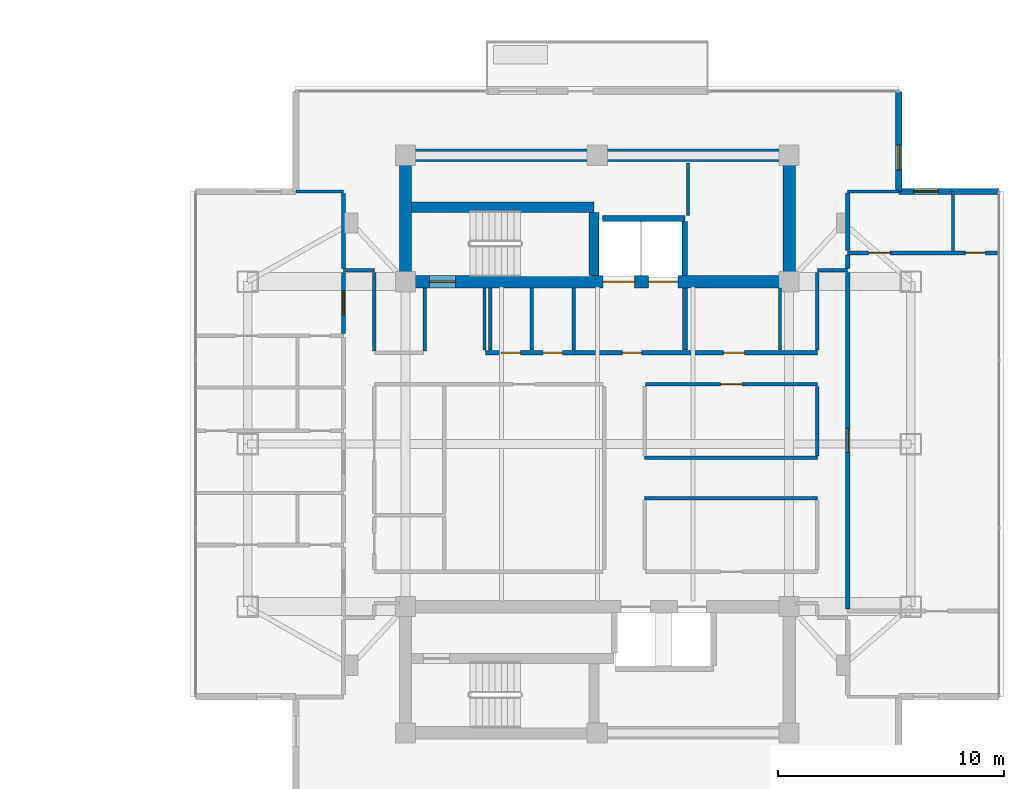
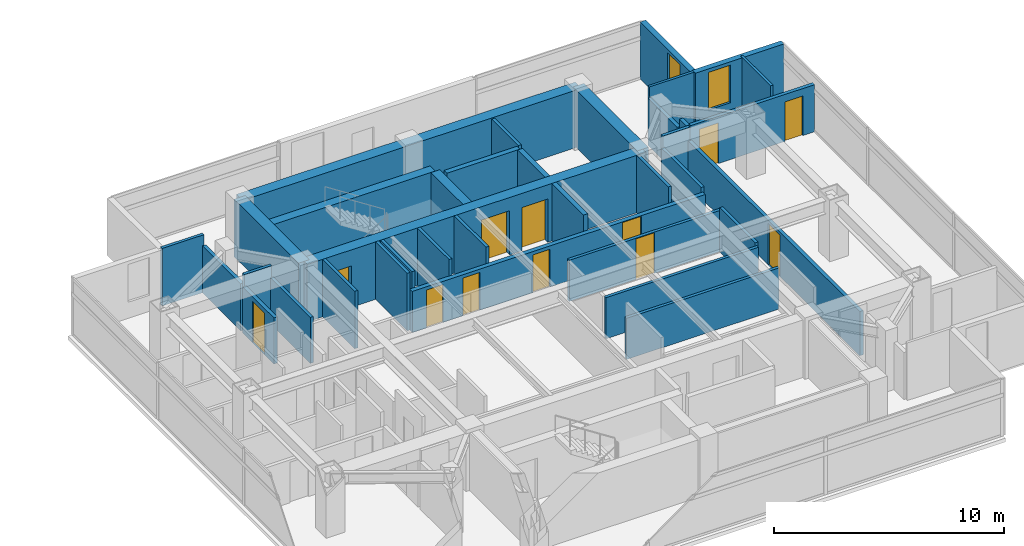
# One storey, part 18 of 26: 36 walls, 12 doors, 2 windows, 14 openings.
"""IFC4 building model written with IfcOpenShell, lengths in metres."""

from ifc_helpers import new_model, si_unit, direction, frame, frame_2d, origin, place, context, subcontext, project, spatial, rectangle, extrude, material, layer, layer_set, type_object, element, fill, save


model = new_model("IFC4")

# Units and contexts
model_context = context("Model", 3, precision=1e-05, world=origin(), true_north=direction((0.0, 1.0)))
body_context = subcontext(model_context, "Body", "Model", "MODEL_VIEW")
ifc_project = project(units=[si_unit("LENGTHUNIT", "METRE"), si_unit("AREAUNIT", "SQUARE_METRE"), si_unit("VOLUMEUNIT", "CUBIC_METRE"), si_unit("PLANEANGLEUNIT", "RADIAN"), si_unit("MASSUNIT", "GRAM", prefix="KILO")], contexts=[model_context])

# Site, building, storey
site_placement = place(None, origin())
site = spatial("IfcSite", under=ifc_project, at=site_placement, CompositionType="ELEMENT")
building_placement = place(site_placement, origin())
building = spatial("IfcBuilding", under=site, at=building_placement, Name="Mirazonda Arch Towers", CompositionType="ELEMENT")
storey_placement = place(building_placement, frame((0.0, 0.0, 203.14990234375)))
storey = spatial("IfcBuildingStorey", under=building, at=storey_placement, Name="L58", CompositionType="ELEMENT", Elevation=203.14990234375)

# Walls
ifc_material_1 = material(Name="Concrete C50/60", Category="concrete")
ifc_layer_1 = layer(ifc_material_1, 0.449951171875, Name="WALL-CORE-450")
ifc_layer_set_1 = layer_set([ifc_layer_1], Name="Concrete C50/60")
wall_type_1 = type_object("IfcWallType", Name="WALL-CORE-450", PredefinedType="SHEAR", material=ifc_layer_set_1)
wall_1_placement = place(storey_placement, frame((68.27001953125, 38.5, 0.0), z_axis=(0.0, 0.0, 1.0), x_axis=(1.0, 0.0, 0.0)))
element("IfcWall", 1, at=wall_1_placement, inside=storey, type_object=wall_type_1, Name="L58 Stair Core Shear Wall 050", PredefinedType="SHEAR", context=body_context, shape_type="SweptSolid", body=[
    extrude(rectangle(XDim=8.090087890625, YDim=0.449951171875, at=frame_2d((4.044921875, 0.0))), origin(), (0.0, 0.0, 1.0), 3.050048828125),
])
wall_2_placement = place(storey_placement, frame((76.360107421875, 35.469970703125, 0.0), z_axis=(0.0, 0.0, 1.0), x_axis=(0.0, 1.0, 0.0)))
element("IfcWall", 2, at=wall_2_placement, inside=storey, type_object=wall_type_1, Name="L58 Stair Core Shear Wall 137", PredefinedType="SHEAR", context=body_context, shape_type="SweptSolid", body=[
    extrude(rectangle(XDim=2.794921875, YDim=0.449951171875, at=frame_2d((1.3974609375, 0.0))), origin(), (0.0, 0.0, 1.0), 3.050048828125),
])
ifc_layer_2 = layer(ifc_material_1, 0.550048828125, Name="WALL-CORE-550")
ifc_layer_set_2 = layer_set([ifc_layer_2], Name="Concrete C50/60")
wall_type_2 = type_object("IfcWallType", Name="WALL-CORE-550", PredefinedType="SHEAR", material=ifc_layer_set_2)
wall_3_placement = place(storey_placement, frame((68.0, 40.800048828125, 0.0), z_axis=(0.0, 0.0, 1.0), x_axis=(1.0, 0.0, 0.0)))
element("IfcWall", 3, at=wall_3_placement, inside=storey, type_object=wall_type_2, Name="L58 T2N-N Core Shear Wall", PredefinedType="SHEAR", context=body_context, shape_type="SweptSolid", body=[
    extrude(rectangle(XDim=17.0, YDim=0.550048828125, at=frame_2d((8.5, 0.0))), origin(), (0.0, 0.0, 1.0), 3.050048828125),
])
for number, where, z_axis, x_axis, name in (
    (4, (68.0, 35.199951171875, 0.0), (0.0, 0.0, 1.0), (0.0, 1.0, 0.0), "L58 T2N-W Core Shear Wall"),
    (5, (85.0, 35.199951171875, 0.0), (0.0, 0.0, 1.0), (0.0, 1.0, 0.0), "L58 T2N-E Core Shear Wall"),
):
    element("IfcWall", number, at=place(storey_placement, frame(where, z_axis=z_axis, x_axis=x_axis)), inside=storey, type_object=wall_type_2, Name=name, PredefinedType="SHEAR", context=body_context, shape_type="SweptSolid", body=[
        extrude(rectangle(XDim=5.60009765625, YDim=0.550048828125, at=frame_2d((2.800048828125, 0.0))), origin(), (0.0, 0.0, 1.0), 3.050048828125),
    ])

# Wall, openings, doors
wall_4_placement = place(storey_placement, frame((68.0, 35.199951171875, 0.0), z_axis=(0.0, 0.0, 1.0), x_axis=(1.0, 0.0, 0.0)))
wall_4 = element("IfcWall", 6, at=wall_4_placement, inside=storey, type_object=wall_type_2, Name="L58 T2N-S Core Shear Wall", PredefinedType="SHEAR", context=body_context, shape_type="SweptSolid", body=[
    extrude(rectangle(XDim=17.0, YDim=0.550048828125, at=frame_2d((8.5, 0.0))), origin(), (0.0, 0.0, 1.0), 3.050048828125),
])
opening_1_placement = place(wall_4_placement, frame((1.06005859375, 0.0, 0.0)))
opening_1 = element("IfcOpeningElement", 7, at=opening_1_placement, cuts=wall_4, Name="Opening DR-135", PredefinedType="OPENING", context=body_context, shape_type="SweptSolid", body=[
    extrude(rectangle(XDim=1.14990234375, YDim=2.199951171875, at=frame_2d((0.574951171875, 1.10009765625))), frame((0.0, 0.284912109375, 0.0), z_axis=(0.0, -1.0, 0.0), x_axis=(1.0, 0.0, 0.0)), (0.0, 0.0, 1.0), 0.570068359375),
])
opening_2_placement = place(wall_4_placement, frame((8.75, 0.0, 0.0)))
opening_2 = element("IfcOpeningElement", 8, at=opening_2_placement, cuts=wall_4, Name="Opening LD-112", PredefinedType="OPENING", context=body_context, shape_type="SweptSolid", body=[
    extrude(rectangle(XDim=1.39990234375, YDim=2.35009765625, at=frame_2d((0.699951171875, 1.175048828125))), frame((0.0, 0.284912109375, 0.0), z_axis=(0.0, -1.0, 0.0), x_axis=(1.0, 0.0, 0.0)), (0.0, 0.0, 1.0), 0.570068359375),
])
opening_3_placement = place(wall_4_placement, frame((10.77001953125, 0.0, 0.0)))
opening_3 = element("IfcOpeningElement", 9, at=opening_3_placement, cuts=wall_4, Name="Opening LD-111", PredefinedType="OPENING", context=body_context, shape_type="SweptSolid", body=[
    extrude(rectangle(XDim=1.300048828125, YDim=2.300048828125, at=frame_2d((0.64990234375, 1.14990234375))), frame((0.0, 0.284912109375, 0.0), z_axis=(0.0, -1.0, 0.0), x_axis=(1.0, 0.0, 0.0)), (0.0, 0.0, 1.0), 0.570068359375),
])
ifc_material_2 = material(Name="Architectural Brushed Steel S355", Category="steel")
door_type_1 = type_object("IfcDoorType", Name="DOOR-LIFT-FFL-1400", OperationType="NOTDEFINED", PredefinedType="DOOR", material=ifc_material_2)
door_1_placement = place(opening_2_placement, origin())
door_1 = element("IfcDoor", 10, at=door_1_placement, inside=storey, type_object=door_type_1, Name="L58 Lift Landing Sliding Door FFL-T2", OperationType="DOUBLE_DOOR_SLIDING", OverallHeight=2.35009765625, OverallWidth=1.39990234375, PredefinedType="DOOR", context=body_context, shape_type="SweptSolid", body=[
    extrude(rectangle(XDim=1.39990234375, YDim=2.35009765625, at=frame_2d((0.699951171875, 1.175048828125))), frame((0.0, 0.02490234375, 0.0), z_axis=(0.0, -1.0, 0.0), x_axis=(1.0, 0.0, 0.0)), (0.0, 0.0, 1.0), 0.050048828125),
])
fill(opening_2, door_1)
door_type_2 = type_object("IfcDoorType", Name="DOOR-LIFT-LAND-1300", OperationType="NOTDEFINED", PredefinedType="DOOR", material=ifc_material_2)
door_2_placement = place(opening_3_placement, origin())
door_2 = element("IfcDoor", 11, at=door_2_placement, inside=storey, type_object=door_type_2, Name="L58 Lift Landing Sliding Door SVL-T2", OperationType="DOUBLE_DOOR_SLIDING", OverallHeight=2.300048828125, OverallWidth=1.300048828125, PredefinedType="DOOR", context=body_context, shape_type="SweptSolid", body=[
    extrude(rectangle(XDim=1.300048828125, YDim=2.300048828125, at=frame_2d((0.64990234375, 1.14990234375))), frame((0.0, 0.02490234375, 0.0), z_axis=(0.0, -1.0, 0.0), x_axis=(1.0, 0.0, 0.0)), (0.0, 0.0, 1.0), 0.050048828125),
])
fill(opening_3, door_2)
door_type_3 = type_object("IfcDoorType", Name="DOOR-STAIR-FD90-1150", OperationType="NOTDEFINED", PredefinedType="DOOR", material=ifc_material_2)
door_3_placement = place(opening_1_placement, origin())
door_3 = element("IfcDoor", 12, at=door_3_placement, inside=storey, type_object=door_type_3, Name="L58 East Protected Stair North Door", OperationType="SINGLE_SWING_RIGHT", OverallHeight=2.199951171875, OverallWidth=1.14990234375, PredefinedType="DOOR", context=body_context, shape_type="SweptSolid", body=[
    extrude(rectangle(XDim=1.14990234375, YDim=2.199951171875, at=frame_2d((0.574951171875, 1.10009765625))), frame((0.0, 0.02490234375, 0.0), z_axis=(0.0, -1.0, 0.0), x_axis=(1.0, 0.0, 0.0)), (0.0, 0.0, 1.0), 0.050048828125),
])
fill(opening_1, door_3)

# Wall, opening, window
ifc_material_3 = material(Name="Precast Concrete C40/50", Category="concrete")
ifc_layer_3 = layer(ifc_material_3, 0.280029296875, Name="WALL-EXT-WALL-280")
ifc_layer_set_3 = layer_set([ifc_layer_3], Name="Precast Concrete C40/50")
wall_type_3 = type_object("IfcWallType", Name="WALL-EXT-WALL-280", PredefinedType="SOLIDWALL", material=ifc_layer_set_3)
wall_5_placement = place(storey_placement, frame((89.86572265625, 39.198486328125, 0.0), z_axis=(0.0, 0.0, 1.0), x_axis=(0.0, 1.0, 0.0)))
wall_5 = element("IfcWall", 13, at=wall_5_placement, inside=storey, type_object=wall_type_3, Name="L58 T2 Notched NE Corner Wall WL-L58-T2-CNE", PredefinedType="SOLIDWALL", context=body_context, shape_type="SweptSolid", body=[
    extrude(rectangle(XDim=4.439697265625, YDim=0.280029296875, at=frame_2d((2.2197265625, 0.0))), origin(), (0.0, 0.0, 1.0), 3.030029296875),
])
opening_4_placement = place(wall_5_placement, frame((0.949951171875, 0.0, 0.85009765625)))
opening_4 = element("IfcOpeningElement", 14, at=opening_4_placement, cuts=wall_5, Name="Opening WN-108", PredefinedType="OPENING", context=body_context, shape_type="SweptSolid", body=[
    extrude(rectangle(XDim=1.10009765625, YDim=2.0, at=frame_2d((0.550048828125, 1.0))), frame((0.0, 0.14990234375, 0.0), z_axis=(0.0, -1.0, 0.0), x_axis=(1.0, 0.0, 0.0)), (0.0, 0.0, 1.0), 0.300048828125),
])
ifc_material_4 = material(Name="Insulated Low-E Solar Glass", Category="glass")
window_type = type_object("IfcWindowType", Name="WIN-NOTCH-1100x2000", PartitioningType="SINGLE_PANEL", PredefinedType="WINDOW", material=ifc_material_4)
window_1_placement = place(opening_4_placement, origin())
window_1 = element("IfcWindow", 15, at=window_1_placement, inside=storey, type_object=window_type, Name="L58 Punched Facade Window WN-L58-T2-CNE", OverallHeight=2.0, OverallWidth=1.10009765625, PartitioningType="SINGLE_PANEL", PredefinedType="WINDOW", context=body_context, shape_type="SweptSolid", body=[
    extrude(rectangle(XDim=1.10009765625, YDim=2.0, at=frame_2d((0.550048828125, 1.0))), frame((0.0, 0.030029296875, 0.0), z_axis=(0.0, -1.0, 0.0), x_axis=(1.0, 0.0, 0.0)), (0.0, 0.0, 1.0), 0.06005859375),
])
fill(opening_4, window_1)

wall_6_placement = place(storey_placement, frame((94.305419921875, 39.198486328125, 0.0), z_axis=(0.0, 0.0, 1.0), x_axis=(-1.0, 0.0, 0.0)))
wall_6 = element("IfcWall", 16, at=wall_6_placement, inside=storey, type_object=wall_type_3, Name="L58 T2 Corner Notch Return Wall WL-L58-T2-CNE2", PredefinedType="SOLIDWALL", context=body_context, shape_type="SweptSolid", body=[
    extrude(rectangle(XDim=4.439697265625, YDim=0.280029296875, at=frame_2d((2.2197265625, 0.0))), origin(), (0.0, 0.0, 1.0), 3.030029296875),
])
opening_5_placement = place(wall_6_placement, frame((2.68994140625, 0.0, 0.85009765625)))
opening_5 = element("IfcOpeningElement", 17, at=opening_5_placement, cuts=wall_6, Name="Opening WN-108", PredefinedType="OPENING", context=body_context, shape_type="SweptSolid", body=[
    extrude(rectangle(XDim=1.10009765625, YDim=2.0, at=frame_2d((0.550048828125, 1.0))), frame((0.0, 0.14990234375, 0.0), z_axis=(0.0, -1.0, 0.0), x_axis=(1.0, 0.0, 0.0)), (0.0, 0.0, 1.0), 0.300048828125),
])
window_2_placement = place(opening_5_placement, origin())
window_2 = element("IfcWindow", 18, at=window_2_placement, inside=storey, type_object=window_type, Name="L58 Punched Facade Window WN-L58-T2-CNE2", OverallHeight=2.0, OverallWidth=1.10009765625, PartitioningType="SINGLE_PANEL", PredefinedType="WINDOW", context=body_context, shape_type="SweptSolid", body=[
    extrude(rectangle(XDim=1.10009765625, YDim=2.0, at=frame_2d((0.550048828125, 1.0))), frame((0.0, 0.030029296875, 0.0), z_axis=(0.0, -1.0, 0.0), x_axis=(1.0, 0.0, 0.0)), (0.0, 0.0, 1.0), 0.06005859375),
])
fill(opening_5, window_2)

# Wall, openings, doors
ifc_material_5 = material(Name="Concrete C40/50", Category="concrete")
ifc_layer_4 = layer(ifc_material_5, 0.219970703125, Name="WALL-FFL-220")
ifc_layer_set_4 = layer_set([ifc_layer_4], Name="Concrete C40/50")
wall_type_4 = type_object("IfcWallType", Name="WALL-FFL-220", PredefinedType="SOLIDWALL", material=ifc_layer_set_4)
wall_7_placement = place(storey_placement, frame((71.550048828125, 32.050048828125, 0.0), z_axis=(0.0, 0.0, 1.0), x_axis=(1.0, 0.0, 0.0)))
wall_7 = element("IfcWall", 19, at=wall_7_placement, inside=storey, type_object=wall_type_4, Name="L58 Interior Partition 040", PredefinedType="SOLIDWALL", context=body_context, shape_type="SweptSolid", body=[
    extrude(rectangle(XDim=14.699951171875, YDim=0.219970703125, at=frame_2d((7.35009765625, 0.0))), origin(), (0.0, 0.0, 1.0), 2.18603515625),
])
opening_6_placement = place(wall_7_placement, frame((6.06494140625, 0.0, 0.0)))
opening_6 = element("IfcOpeningElement", 20, at=opening_6_placement, cuts=wall_7, Name="Opening DR-128", PredefinedType="OPENING", context=body_context, shape_type="SweptSolid", body=[
    extrude(rectangle(XDim=0.85009765625, YDim=2.010009765625, at=frame_2d((0.425048828125, 1.0048828125))), frame((0.0, 0.119873046875, 0.0), z_axis=(0.0, -1.0, 0.0), x_axis=(1.0, 0.0, 0.0)), (0.0, 0.0, 1.0), 0.239990234375),
])
opening_7_placement = place(wall_7_placement, frame((10.534912109375, 0.0, 0.0)))
opening_7 = element("IfcOpeningElement", 21, at=opening_7_placement, cuts=wall_7, Name="Opening DR-104", PredefinedType="OPENING", context=body_context, shape_type="SweptSolid", body=[
    extrude(rectangle(XDim=0.949951171875, YDim=2.14990234375, at=frame_2d((0.47509765625, 1.074951171875))), frame((0.0, 0.119873046875, 0.0), z_axis=(0.0, -1.0, 0.0), x_axis=(1.0, 0.0, 0.0)), (0.0, 0.0, 1.0), 0.239990234375),
])
opening_8_placement = place(wall_7_placement, frame((0.699951171875, 0.0, 0.0)))
opening_8 = element("IfcOpeningElement", 22, at=opening_8_placement, cuts=wall_7, Name="Opening DR-128", PredefinedType="OPENING", context=body_context, shape_type="SweptSolid", body=[
    extrude(rectangle(XDim=0.85009765625, YDim=2.010009765625, at=frame_2d((0.425048828125, 1.0048828125))), frame((0.0, 0.119873046875, 0.0), z_axis=(0.0, -1.0, 0.0), x_axis=(1.0, 0.0, 0.0)), (0.0, 0.0, 1.0), 0.239990234375),
])
opening_9_placement = place(wall_7_placement, frame((2.550048828125, 0.0, 0.0)))
opening_9 = element("IfcOpeningElement", 23, at=opening_9_placement, cuts=wall_7, Name="Opening DR-128", PredefinedType="OPENING", context=body_context, shape_type="SweptSolid", body=[
    extrude(rectangle(XDim=0.85009765625, YDim=2.010009765625, at=frame_2d((0.425048828125, 1.0048828125))), frame((0.0, 0.119873046875, 0.0), z_axis=(0.0, -1.0, 0.0), x_axis=(1.0, 0.0, 0.0)), (0.0, 0.0, 1.0), 0.239990234375),
])
door_type_4 = type_object("IfcDoorType", Name="DOOR-RISER-FD60-850", OperationType="NOTDEFINED", PredefinedType="DOOR", material=ifc_material_2)
door_4_placement = place(opening_6_placement, origin())
door_4 = element("IfcDoor", 24, at=door_4_placement, inside=storey, type_object=door_type_4, Name="L58 East Firefighting Lift Lobby Door", OperationType="SINGLE_SWING_LEFT", OverallHeight=2.010009765625, OverallWidth=0.85009765625, PredefinedType="DOOR", context=body_context, shape_type="SweptSolid", body=[
    extrude(rectangle(XDim=0.85009765625, YDim=2.010009765625, at=frame_2d((0.425048828125, 1.0048828125))), frame((0.0, 0.02490234375, 0.0), z_axis=(0.0, -1.0, 0.0), x_axis=(1.0, 0.0, 0.0)), (0.0, 0.0, 1.0), 0.050048828125),
])
fill(opening_6, door_4)
door_5_placement = place(opening_8_placement, origin())
door_5 = element("IfcDoor", 25, at=door_5_placement, inside=storey, type_object=door_type_4, Name="L58 Tower 2 Electrical Room Door", OperationType="SINGLE_SWING_LEFT", OverallHeight=2.010009765625, OverallWidth=0.85009765625, PredefinedType="DOOR", context=body_context, shape_type="SweptSolid", body=[
    extrude(rectangle(XDim=0.85009765625, YDim=2.010009765625, at=frame_2d((0.425048828125, 1.0048828125))), frame((0.0, 0.02490234375, 0.0), z_axis=(0.0, -1.0, 0.0), x_axis=(1.0, 0.0, 0.0)), (0.0, 0.0, 1.0), 0.050048828125),
])
fill(opening_8, door_5)
door_6_placement = place(opening_9_placement, origin())
door_6 = element("IfcDoor", 26, at=door_6_placement, inside=storey, type_object=door_type_4, Name="L58 Tower 2 Cleaners Store Door", OperationType="SINGLE_SWING_RIGHT", OverallHeight=2.010009765625, OverallWidth=0.85009765625, PredefinedType="DOOR", context=body_context, shape_type="SweptSolid", body=[
    extrude(rectangle(XDim=0.85009765625, YDim=2.010009765625, at=frame_2d((0.425048828125, 1.0048828125))), frame((0.0, 0.02490234375, 0.0), z_axis=(0.0, -1.0, 0.0), x_axis=(1.0, 0.0, 0.0)), (0.0, 0.0, 1.0), 0.050048828125),
])
fill(opening_9, door_6)
door_type_5 = type_object("IfcDoorType", Name="DOOR-ROOM-950", OperationType="NOTDEFINED", PredefinedType="DOOR", material=ifc_material_2)
door_7_placement = place(opening_7_placement, origin())
door_7 = element("IfcDoor", 27, at=door_7_placement, inside=storey, type_object=door_type_5, Name="L58 East Sky Reading Library Door", OperationType="SINGLE_SWING_RIGHT", OverallHeight=2.14990234375, OverallWidth=0.949951171875, PredefinedType="DOOR", context=body_context, shape_type="SweptSolid", body=[
    extrude(rectangle(XDim=0.949951171875, YDim=2.14990234375, at=frame_2d((0.47509765625, 1.074951171875))), frame((0.0, 0.02490234375, 0.0), z_axis=(0.0, -1.0, 0.0), x_axis=(1.0, 0.0, 0.0)), (0.0, 0.0, 1.0), 0.050048828125),
])
fill(opening_7, door_7)

# Walls
wall_8_placement = place(storey_placement, frame((80.3798828125, 32.169921875, 0.0), z_axis=(0.0, 0.0, 1.0), x_axis=(0.0, 1.0, 0.0)))
element("IfcWall", 28, at=wall_8_placement, inside=storey, type_object=wall_type_4, Name="L58 Interior Partition 142", PredefinedType="SOLIDWALL", context=body_context, shape_type="SweptSolid", body=[
    extrude(rectangle(XDim=2.760009765625, YDim=0.219970703125, at=frame_2d((1.3798828125, 0.0))), origin(), (0.0, 0.0, 1.0), 3.050048828125),
])
ifc_material_6 = material(Name="Fire-Rated Gypsum Stud Partition")
ifc_layer_5 = layer(ifc_material_6, 0.14990234375, Name="WALL-PART-CORR-150")
ifc_layer_set_5 = layer_set([ifc_layer_5], Name="Fire-Rated Gypsum Stud Partition")
wall_type_5 = type_object("IfcWallType", Name="WALL-PART-CORR-150", PredefinedType="PARTITIONING", material=ifc_layer_set_5)
for number, where, z_axis, x_axis, name in (
    (29, (78.60009765625, 25.60009765625, 0.0), (0.0, 0.0, 1.0), (1.0, 0.0, 0.0), "L58 Interior Partition 028"),
    (30, (78.60009765625, 27.39990234375, 0.0), (0.0, 0.0, 1.0), (1.0, 0.0, 0.0), "L58 Interior Partition 030"),
):
    element("IfcWall", number, at=place(storey_placement, frame(where, z_axis=z_axis, x_axis=x_axis)), inside=storey, type_object=wall_type_5, Name=name, PredefinedType="PARTITIONING", context=body_context, shape_type="SweptSolid", body=[
        extrude(rectangle(XDim=7.64990234375, YDim=0.14990234375, at=frame_2d((3.824951171875, 0.0))), origin(), (0.0, 0.0, 1.0), 2.18603515625),
    ])

# Wall, opening, door
wall_9_placement = place(storey_placement, frame((78.639892578125, 30.64990234375, 0.0), z_axis=(0.0, 0.0, 1.0), x_axis=(1.0, 0.0, 0.0)))
wall_9 = element("IfcWall", 31, at=wall_9_placement, inside=storey, type_object=wall_type_5, Name="L58 Interior Partition 036", PredefinedType="PARTITIONING", context=body_context, shape_type="SweptSolid", body=[
    extrude(rectangle(XDim=7.610107421875, YDim=0.14990234375, at=frame_2d((3.80517578125, 0.0))), origin(), (0.0, 0.0, 1.0), 2.18603515625),
])
opening_10_placement = place(wall_9_placement, frame((3.330078125, 0.0, 0.0)))
opening_10 = element("IfcOpeningElement", 32, at=opening_10_placement, cuts=wall_9, Name="Opening DR-104", PredefinedType="OPENING", context=body_context, shape_type="SweptSolid", body=[
    extrude(rectangle(XDim=0.949951171875, YDim=2.14990234375, at=frame_2d((0.47509765625, 1.074951171875))), frame((0.0, 0.0849609375, 0.0), z_axis=(0.0, -1.0, 0.0), x_axis=(1.0, 0.0, 0.0)), (0.0, 0.0, 1.0), 0.169921875),
])
door_8_placement = place(opening_10_placement, origin())
door_8 = element("IfcDoor", 33, at=door_8_placement, inside=storey, type_object=door_type_5, Name="L58 L58 Tower 2 North-East Study Door", OperationType="SINGLE_SWING_LEFT", OverallHeight=2.14990234375, OverallWidth=0.949951171875, PredefinedType="DOOR", context=body_context, shape_type="SweptSolid", body=[
    extrude(rectangle(XDim=0.949951171875, YDim=2.14990234375, at=frame_2d((0.47509765625, 1.074951171875))), frame((0.0, 0.02490234375, 0.0), z_axis=(0.0, -1.0, 0.0), x_axis=(1.0, 0.0, 0.0)), (0.0, 0.0, 1.0), 0.050048828125),
])
fill(opening_10, door_8)

# Walls
wall_10_placement = place(storey_placement, frame((65.25, 35.699951171875, 0.0), z_axis=(0.0, 0.0, 1.0), x_axis=(1.0, 0.0, 0.0)))
element("IfcWall", 34, at=wall_10_placement, inside=storey, type_object=wall_type_5, Name="L58 Interior Partition 046", PredefinedType="PARTITIONING", context=body_context, shape_type="SweptSolid", body=[
    extrude(rectangle(XDim=1.3701171875, YDim=0.14990234375, at=frame_2d((0.68505859375, 0.0))), origin(), (0.0, 0.0, 1.0), 3.050048828125),
])
wall_11_placement = place(storey_placement, frame((86.25, 35.699951171875, 0.0), z_axis=(0.0, 0.0, 1.0), x_axis=(1.0, 0.0, 0.0)))
element("IfcWall", 35, at=wall_11_placement, inside=storey, type_object=wall_type_5, Name="L58 Interior Partition 047", PredefinedType="PARTITIONING", context=body_context, shape_type="SweptSolid", body=[
    extrude(rectangle(XDim=1.35009765625, YDim=0.14990234375, at=frame_2d((0.675048828125, 0.0))), origin(), (0.0, 0.0, 1.0), 3.050048828125),
])
wall_12_placement = place(storey_placement, frame((63.154296875, 39.198974609375, 0.0), z_axis=(0.0, 0.0, 1.0), x_axis=(1.0, 0.0, 0.0)))
element("IfcWall", 36, at=wall_12_placement, inside=storey, type_object=wall_type_5, Name="L58 Interior Partition 051", PredefinedType="PARTITIONING", context=body_context, shape_type="SweptSolid", body=[
    extrude(rectangle(XDim=2.095703125, YDim=0.14990234375, at=frame_2d((1.0478515625, 0.0))), origin(), (0.0, 0.0, 1.0), 3.050048828125),
])
wall_13_placement = place(storey_placement, frame((66.6201171875, 32.135009765625, 0.0), z_axis=(0.0, 0.0, 1.0), x_axis=(0.0, 1.0, 0.0)))
element("IfcWall", 37, at=wall_13_placement, inside=storey, type_object=wall_type_5, Name="L58 Interior Partition 128", PredefinedType="PARTITIONING", context=body_context, shape_type="SweptSolid", body=[
    extrude(rectangle(XDim=3.47998046875, YDim=0.14990234375, at=frame_2d((1.739990234375, 0.0))), origin(), (0.0, 0.0, 1.0), 2.442138671875),
])
wall_14_placement = place(storey_placement, frame((68.85009765625, 32.135009765625, 0.0), z_axis=(0.0, 0.0, 1.0), x_axis=(0.0, 1.0, 0.0)))
element("IfcWall", 38, at=wall_14_placement, inside=storey, type_object=wall_type_5, Name="L58 Interior Partition 129", PredefinedType="PARTITIONING", context=body_context, shape_type="SweptSolid", body=[
    extrude(rectangle(XDim=2.794921875, YDim=0.14990234375, at=frame_2d((1.3974609375, 0.0))), origin(), (0.0, 0.0, 1.0), 3.050048828125),
])
for number, where, z_axis, x_axis, name in (
    (39, (71.5, 32.169921875, 0.0), (0.0, 0.0, 1.0), (0.0, 1.0, 0.0), "L58 Interior Partition 132"),
    (40, (71.75, 32.169921875, 0.0), (0.0, 0.0, 1.0), (0.0, 1.0, 0.0), "L58 Interior Partition 133"),
    (41, (73.60009765625, 32.169921875, 0.0), (0.0, 0.0, 1.0), (0.0, 1.0, 0.0), "L58 Interior Partition 134"),
    (42, (75.449951171875, 32.169921875, 0.0), (0.0, 0.0, 1.0), (0.0, 1.0, 0.0), "L58 Interior Partition 135"),
):
    element("IfcWall", number, at=place(storey_placement, frame(where, z_axis=z_axis, x_axis=x_axis)), inside=storey, type_object=wall_type_5, Name=name, PredefinedType="PARTITIONING", context=body_context, shape_type="SweptSolid", body=[
        extrude(rectangle(XDim=2.760009765625, YDim=0.14990234375, at=frame_2d((1.3798828125, 0.0))), origin(), (0.0, 0.0, 1.0), 3.050048828125),
    ])
wall_15_placement = place(storey_placement, frame((80.52001953125, 38.135009765625, 0.0), z_axis=(0.0, 0.0, 1.0), x_axis=(0.0, 1.0, 0.0)))
element("IfcWall", 43, at=wall_15_placement, inside=storey, type_object=wall_type_5, Name="L58 Interior Partition 144", PredefinedType="PARTITIONING", context=body_context, shape_type="SweptSolid", body=[
    extrude(rectangle(XDim=2.31494140625, YDim=0.14990234375, at=frame_2d((1.157470703125, 0.0))), origin(), (0.0, 0.0, 1.0), 3.050048828125),
])
wall_16_placement = place(storey_placement, frame((84.60009765625, 32.169921875, 0.0), z_axis=(0.0, 0.0, 1.0), x_axis=(0.0, 1.0, 0.0)))
element("IfcWall", 44, at=wall_16_placement, inside=storey, type_object=wall_type_5, Name="L58 Interior Partition 146", PredefinedType="PARTITIONING", context=body_context, shape_type="SweptSolid", body=[
    extrude(rectangle(XDim=2.760009765625, YDim=0.14990234375, at=frame_2d((1.3798828125, 0.0))), origin(), (0.0, 0.0, 1.0), 3.050048828125),
])
wall_17_placement = place(storey_placement, frame((86.25, 27.485107421875, 0.0), z_axis=(0.0, 0.0, 1.0), x_axis=(0.0, 1.0, 0.0)))
element("IfcWall", 45, at=wall_17_placement, inside=storey, type_object=wall_type_5, Name="L58 Interior Partition 149", PredefinedType="PARTITIONING", context=body_context, shape_type="SweptSolid", body=[
    extrude(rectangle(XDim=3.079833984375, YDim=0.14990234375, at=frame_2d((1.5400390625, 0.0))), origin(), (0.0, 0.0, 1.0), 2.34619140625),
])
wall_18_placement = place(storey_placement, frame((86.25, 32.169921875, 0.0), z_axis=(0.0, 0.0, 1.0), x_axis=(0.0, 1.0, 0.0)))
element("IfcWall", 46, at=wall_18_placement, inside=storey, type_object=wall_type_5, Name="L58 Interior Partition 150", PredefinedType="PARTITIONING", context=body_context, shape_type="SweptSolid", body=[
    extrude(rectangle(XDim=3.445068359375, YDim=0.14990234375, at=frame_2d((1.72265625, 0.0))), origin(), (0.0, 0.0, 1.0), 2.442138671875),
])

# Wall, openings, doors
ifc_material_7 = material(Name="Fire-Rated Gypsum Twin-Stud Assembly")
ifc_layer_6 = layer(ifc_material_7, 0.179931640625, Name="WALL-PART-DEMISE-180")
ifc_layer_set_6 = layer_set([ifc_layer_6], Name="Fire-Rated Gypsum Twin-Stud Assembly")
wall_type_6 = type_object("IfcWallType", Name="WALL-PART-DEMISE-180", PredefinedType="PARTITIONING", material=ifc_layer_set_6)
wall_19_placement = place(storey_placement, frame((87.60009765625, 36.47900390625, 0.0), z_axis=(0.0, 0.0, 1.0), x_axis=(1.0, 0.0, 0.0)))
wall_19 = element("IfcWall", 47, at=wall_19_placement, inside=storey, type_object=wall_type_6, Name="L58 Interior Partition 048", PredefinedType="PARTITIONING", context=body_context, shape_type="SweptSolid", body=[
    extrude(rectangle(XDim=6.704833984375, YDim=0.179931640625, at=frame_2d((3.3525390625, 0.0))), origin(), (0.0, 0.0, 1.0), 2.4931640625),
])
opening_11_placement = place(wall_19_placement, frame((0.927490234375, 0.0, 0.0)))
opening_11 = element("IfcOpeningElement", 48, at=opening_11_placement, cuts=wall_19, Name="Opening DR-104", PredefinedType="OPENING", context=body_context, shape_type="SweptSolid", body=[
    extrude(rectangle(XDim=0.949951171875, YDim=2.14990234375, at=frame_2d((0.47509765625, 1.074951171875))), frame((0.0, 0.099853515625, 0.0), z_axis=(0.0, -1.0, 0.0), x_axis=(1.0, 0.0, 0.0)), (0.0, 0.0, 1.0), 0.199951171875),
])
opening_12_placement = place(wall_19_placement, frame((5.215087890625, 0.0, 0.0)))
opening_12 = element("IfcOpeningElement", 49, at=opening_12_placement, cuts=wall_19, Name="Opening DR-120", PredefinedType="OPENING", context=body_context, shape_type="SweptSolid", body=[
    extrude(rectangle(XDim=0.89990234375, YDim=2.10009765625, at=frame_2d((0.449951171875, 1.050048828125))), frame((0.0, 0.099853515625, 0.0), z_axis=(0.0, -1.0, 0.0), x_axis=(1.0, 0.0, 0.0)), (0.0, 0.0, 1.0), 0.199951171875),
])
door_9_placement = place(opening_11_placement, origin())
door_9 = element("IfcDoor", 50, at=door_9_placement, inside=storey, type_object=door_type_5, Name="L58 Residence 1 Fitted Kitchen Door", OperationType="SINGLE_SWING_RIGHT", OverallHeight=2.14990234375, OverallWidth=0.949951171875, PredefinedType="DOOR", context=body_context, shape_type="SweptSolid", body=[
    extrude(rectangle(XDim=0.949951171875, YDim=2.14990234375, at=frame_2d((0.47509765625, 1.074951171875))), frame((0.0, 0.02490234375, 0.0), z_axis=(0.0, -1.0, 0.0), x_axis=(1.0, 0.0, 0.0)), (0.0, 0.0, 1.0), 0.050048828125),
])
fill(opening_11, door_9)
door_type_6 = type_object("IfcDoorType", Name="DOOR-WC-900", OperationType="NOTDEFINED", PredefinedType="DOOR", material=ifc_material_2)
door_10_placement = place(opening_12_placement, origin())
door_10 = element("IfcDoor", 51, at=door_10_placement, inside=storey, type_object=door_type_6, Name="L58 Residence 1 Bathroom Door", OperationType="SINGLE_SWING_LEFT", OverallHeight=2.10009765625, OverallWidth=0.89990234375, PredefinedType="DOOR", context=body_context, shape_type="SweptSolid", body=[
    extrude(rectangle(XDim=0.89990234375, YDim=2.10009765625, at=frame_2d((0.449951171875, 1.050048828125))), frame((0.0, 0.02490234375, 0.0), z_axis=(0.0, -1.0, 0.0), x_axis=(1.0, 0.0, 0.0)), (0.0, 0.0, 1.0), 0.050048828125),
])
fill(opening_12, door_10)

# Wall, opening, door
wall_20_placement = place(storey_placement, frame((65.25, 32.89306640625, 0.0), z_axis=(0.0, 0.0, 1.0), x_axis=(0.0, 1.0, 0.0)))
wall_20 = element("IfcWall", 52, at=wall_20_placement, inside=storey, type_object=wall_type_6, Name="L58 Interior Partition 123", PredefinedType="PARTITIONING", context=body_context, shape_type="SweptSolid", body=[
    extrude(rectangle(XDim=2.721923828125, YDim=0.179931640625, at=frame_2d((1.36083984375, 0.0))), origin(), (0.0, 0.0, 1.0), 2.442138671875),
])
opening_13_placement = place(wall_20_placement, frame((0.8359375, 0.0, 0.0)))
opening_13 = element("IfcOpeningElement", 53, at=opening_13_placement, cuts=wall_20, Name="Opening DR-121", PredefinedType="OPENING", context=body_context, shape_type="SweptSolid", body=[
    extrude(rectangle(XDim=1.050048828125, YDim=2.199951171875, at=frame_2d((0.52490234375, 1.10009765625))), frame((0.0, 0.099853515625, 0.0), z_axis=(0.0, -1.0, 0.0), x_axis=(1.0, 0.0, 0.0)), (0.0, 0.0, 1.0), 0.199951171875),
])
door_type_7 = type_object("IfcDoorType", Name="DOOR-SUITE-FD60-1050", OperationType="NOTDEFINED", PredefinedType="DOOR", material=ifc_material_2)
door_11_placement = place(opening_13_placement, origin())
door_11 = element("IfcDoor", 54, at=door_11_placement, inside=storey, type_object=door_type_7, Name="L58 Studio Apartment 3 Living Salon Door", OperationType="SINGLE_SWING_LEFT", OverallHeight=2.199951171875, OverallWidth=1.050048828125, PredefinedType="DOOR", context=body_context, shape_type="SweptSolid", body=[
    extrude(rectangle(XDim=1.050048828125, YDim=2.199951171875, at=frame_2d((0.52490234375, 1.10009765625))), frame((0.0, 0.02490234375, 0.0), z_axis=(0.0, -1.0, 0.0), x_axis=(1.0, 0.0, 0.0)), (0.0, 0.0, 1.0), 0.050048828125),
])
fill(opening_13, door_11)

# Wall
wall_21_placement = place(storey_placement, frame((65.25, 35.784912109375, 0.0), z_axis=(0.0, 0.0, 1.0), x_axis=(0.0, 1.0, 0.0)))
element("IfcWall", 55, at=wall_21_placement, inside=storey, type_object=wall_type_6, Name="L58 Interior Partition 124", PredefinedType="PARTITIONING", context=body_context, shape_type="SweptSolid", body=[
    extrude(rectangle(XDim=3.3291015625, YDim=0.179931640625, at=frame_2d((1.66455078125, 0.0))), origin(), (0.0, 0.0, 1.0), 2.4931640625),
])

# Wall, opening, door
wall_22_placement = place(storey_placement, frame((87.60009765625, 20.700927734375, 0.0), z_axis=(0.0, 0.0, 1.0), x_axis=(0.0, 1.0, 0.0)))
wall_22 = element("IfcWall", 56, at=wall_22_placement, inside=storey, type_object=wall_type_6, Name="L58 Interior Partition 152", PredefinedType="PARTITIONING", context=body_context, shape_type="SweptSolid", body=[
    extrude(rectangle(XDim=14.9140625, YDim=0.179931640625, at=frame_2d((7.45703125, 0.0))), origin(), (0.0, 0.0, 1.0), 2.34619140625),
])
opening_14_placement = place(wall_22_placement, frame((6.931884765625, 0.0, 0.0)))
opening_14 = element("IfcOpeningElement", 57, at=opening_14_placement, cuts=wall_22, Name="Opening DR-121", PredefinedType="OPENING", context=body_context, shape_type="SweptSolid", body=[
    extrude(rectangle(XDim=1.050048828125, YDim=2.199951171875, at=frame_2d((0.52490234375, 1.10009765625))), frame((0.0, 0.099853515625, 0.0), z_axis=(0.0, -1.0, 0.0), x_axis=(1.0, 0.0, 0.0)), (0.0, 0.0, 1.0), 0.199951171875),
])
door_12_placement = place(opening_14_placement, origin())
door_12 = element("IfcDoor", 58, at=door_12_placement, inside=storey, type_object=door_type_7, Name="L58 Penthouse Residence 1 Living & Dining Salon Door", OperationType="SINGLE_SWING_RIGHT", OverallHeight=2.199951171875, OverallWidth=1.050048828125, PredefinedType="DOOR", context=body_context, shape_type="SweptSolid", body=[
    extrude(rectangle(XDim=1.050048828125, YDim=2.199951171875, at=frame_2d((0.52490234375, 1.10009765625))), frame((0.0, 0.02490234375, 0.0), z_axis=(0.0, -1.0, 0.0), x_axis=(1.0, 0.0, 0.0)), (0.0, 0.0, 1.0), 0.050048828125),
])
fill(opening_14, door_12)

# Walls
wall_23_placement = place(storey_placement, frame((87.60009765625, 35.784912109375, 0.0), z_axis=(0.0, 0.0, 1.0), x_axis=(0.0, 1.0, 0.0)))
element("IfcWall", 59, at=wall_23_placement, inside=storey, type_object=wall_type_6, Name="L58 Interior Partition 153", PredefinedType="PARTITIONING", context=body_context, shape_type="SweptSolid", body=[
    extrude(rectangle(XDim=0.593994140625, YDim=0.179931640625, at=frame_2d((0.296875, 0.0))), origin(), (0.0, 0.0, 1.0), 3.050048828125),
])
wall_24_placement = place(storey_placement, frame((87.60009765625, 36.5791015625, 0.0), z_axis=(0.0, 0.0, 1.0), x_axis=(0.0, 1.0, 0.0)))
element("IfcWall", 60, at=wall_24_placement, inside=storey, type_object=wall_type_6, Name="L58 Interior Partition 154", PredefinedType="PARTITIONING", context=body_context, shape_type="SweptSolid", body=[
    extrude(rectangle(XDim=2.54736328125, YDim=0.179931640625, at=frame_2d((1.273681640625, 0.0))), origin(), (0.0, 0.0, 1.0), 2.4931640625),
])
ifc_material_8 = material(Name="Acoustic Fire-Rated Gypsum Partition")
ifc_layer_7 = layer(ifc_material_8, 0.125, Name="WALL-PART-UNIT-125")
ifc_layer_set_7 = layer_set([ifc_layer_7], Name="Acoustic Fire-Rated Gypsum Partition")
wall_type_7 = type_object("IfcWallType", Name="WALL-PART-UNIT-125", PredefinedType="PARTITIONING", material=ifc_layer_set_7)
wall_25_placement = place(storey_placement, frame((87.60009765625, 39.198974609375, 0.0), z_axis=(0.0, 0.0, 1.0), x_axis=(1.0, 0.0, 0.0)))
element("IfcWall", 61, at=wall_25_placement, inside=storey, type_object=wall_type_7, Name="L58 Interior Partition 052", PredefinedType="PARTITIONING", context=body_context, shape_type="SweptSolid", body=[
    extrude(rectangle(XDim=2.24560546875, YDim=0.125, at=frame_2d((1.122802734375, 0.0))), origin(), (0.0, 0.0, 1.0), 3.050048828125),
])
wall_26_placement = place(storey_placement, frame((92.264892578125, 36.5791015625, 0.0), z_axis=(0.0, 0.0, 1.0), x_axis=(0.0, 1.0, 0.0)))
element("IfcWall", 62, at=wall_26_placement, inside=storey, type_object=wall_type_7, Name="L58 Interior Partition 155", PredefinedType="PARTITIONING", context=body_context, shape_type="SweptSolid", body=[
    extrude(rectangle(XDim=2.619873046875, YDim=0.125, at=frame_2d((1.31005859375, 0.0))), origin(), (0.0, 0.0, 1.0), 3.050048828125),
])
ifc_layer_8 = layer(ifc_material_5, 0.25, Name="WALL-SHAFT-250")
ifc_layer_set_8 = layer_set([ifc_layer_8], Name="Concrete C40/50")
wall_type_8 = type_object("IfcWallType", Name="WALL-SHAFT-250", PredefinedType="SOLIDWALL", material=ifc_layer_set_8)
wall_27_placement = place(storey_placement, frame((76.719970703125, 38.0, 0.0), z_axis=(0.0, 0.0, 1.0), x_axis=(1.0, 0.0, 0.0)))
element("IfcWall", 63, at=wall_27_placement, inside=storey, type_object=wall_type_8, Name="L58 Interior Partition 049", PredefinedType="SOLIDWALL", context=body_context, shape_type="SweptSolid", body=[
    extrude(rectangle(XDim=3.659912109375, YDim=0.25, at=frame_2d((1.830078125, 0.0))), origin(), (0.0, 0.0, 1.0), 3.050048828125),
])
wall_28_placement = place(storey_placement, frame((80.3798828125, 35.469970703125, 0.0), z_axis=(0.0, 0.0, 1.0), x_axis=(0.0, 1.0, 0.0)))
element("IfcWall", 64, at=wall_28_placement, inside=storey, type_object=wall_type_8, Name="L58 Interior Partition 143", PredefinedType="SOLIDWALL", context=body_context, shape_type="SweptSolid", body=[
    extrude(rectangle(XDim=2.39501953125, YDim=0.25, at=frame_2d((1.197509765625, 0.0))), origin(), (0.0, 0.0, 1.0), 3.050048828125),
])

save(model, "model.ifc")
